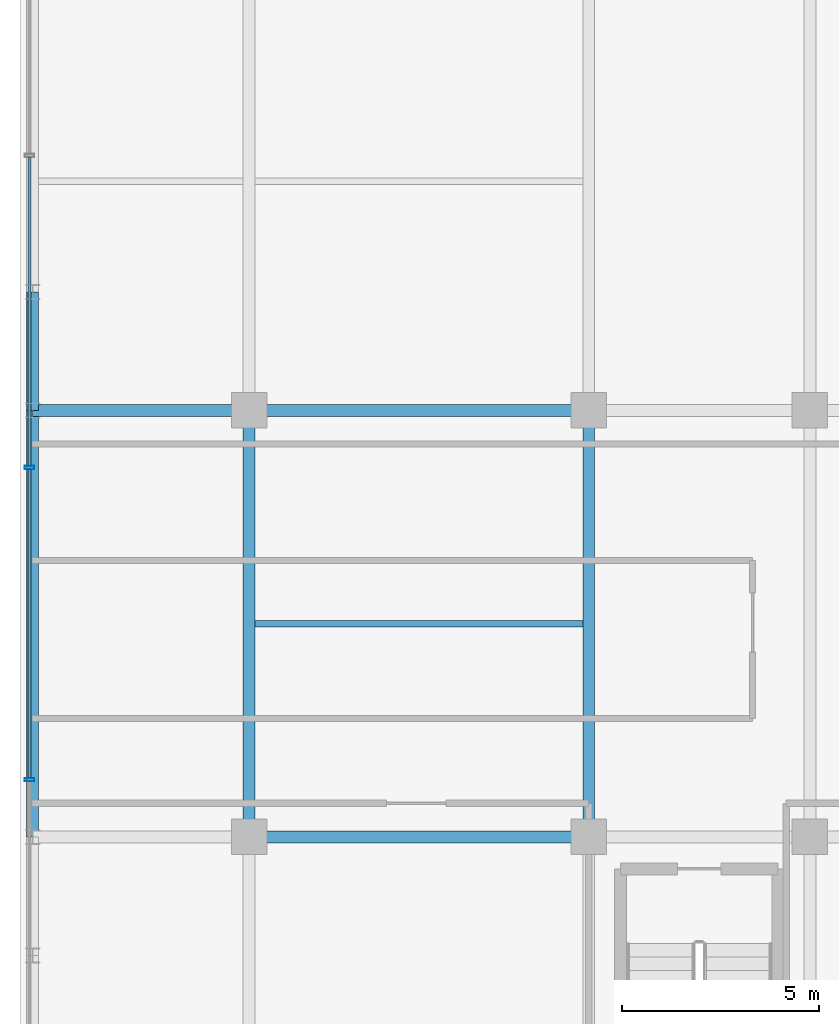
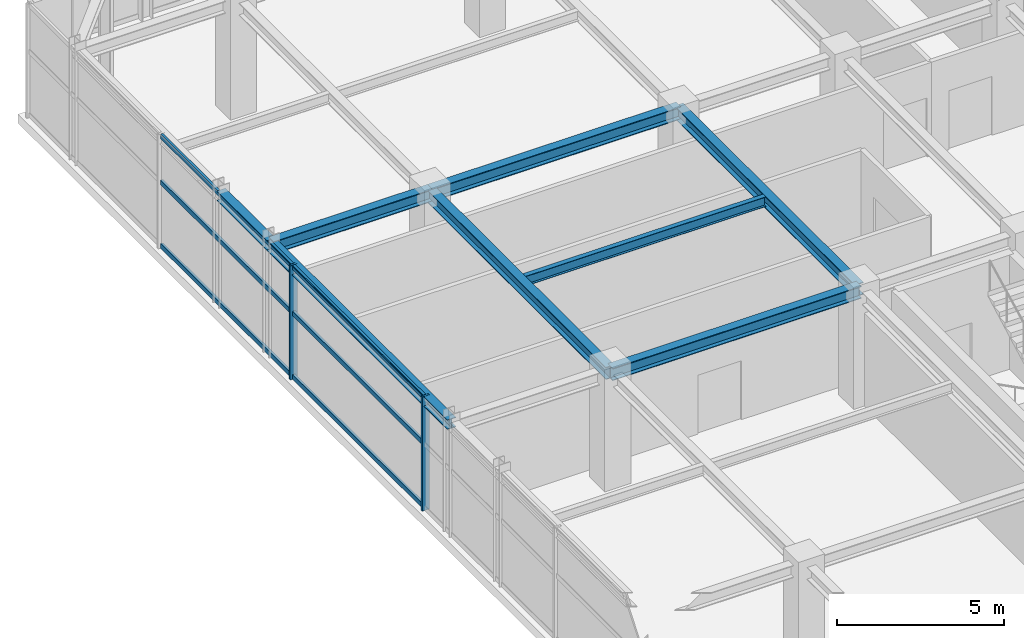
# One storey, part 8 of 26: 8 beams, 8 members, 1 element without a shape of its own.
"""IFC4 building model written with IfcOpenShell, lengths in metres."""

from ifc_helpers import new_model, si_unit, direction, frame, origin, origin_2d, place, context, subcontext, project, spatial, hollow_rectangle, i_section, extrude, source, transform, mapped, material, material_profile, profile_set, type_object, element, aggregate, save


model = new_model("IFC4")

# Units and contexts
model_context = context("Model", 3, precision=1e-05, world=origin(), true_north=direction((0.0, 1.0)))
body_context = subcontext(model_context, "Body", "Model", "MODEL_VIEW")
ifc_project = project(units=[si_unit("LENGTHUNIT", "METRE"), si_unit("AREAUNIT", "SQUARE_METRE"), si_unit("VOLUMEUNIT", "CUBIC_METRE"), si_unit("PLANEANGLEUNIT", "RADIAN"), si_unit("MASSUNIT", "GRAM", prefix="KILO")], contexts=[model_context])

# Site, building, storey
site_placement = place(None, origin())
site = spatial("IfcSite", under=ifc_project, at=site_placement, CompositionType="ELEMENT")
building_placement = place(site_placement, origin())
building = spatial("IfcBuilding", under=site, at=building_placement, Name="Nahalor Promenade Grand Hotel", CompositionType="ELEMENT")
storey_placement = place(building_placement, frame((0.0, 0.0, 343.050048828125)))
storey = spatial("IfcBuildingStorey", under=building, at=storey_placement, Name="L88", CompositionType="ELEMENT", Elevation=343.050048828125)

# Beams
ifc_material_1 = material(Name="Steel S355JR", Category="steel")
ifc_material_profile_1 = material_profile(ifc_material_1, i_section(OverallWidth=0.3, OverallDepth=0.45, WebThickness=0.014, FlangeThickness=0.026, at=origin_2d()), Name="HEB 450")
ifc_profile_set_1 = profile_set([ifc_material_profile_1], Name="Steel S355JR")
beam_type_1 = type_object("IfcBeamType", Name="Beam-Girder-HEB450", PredefinedType="BEAM", material=ifc_profile_set_1)
shared_shape_1 = source(origin(), body_context, "Body", "SweptSolid", [
    extrude(i_section(OverallWidth=0.3, OverallDepth=0.45, WebThickness=0.014, FlangeThickness=0.026, at=origin_2d()), origin(), (0.0, 0.0, 1.0), 8.60009765625),
])
for number, where, z_axis, x_axis, name in (
    (1, (-17.0, -5.39990234375, 3.945068359375), (1.0, 0.0, 0.0), (0.0, 1.0, 0.0), "BM-L88-GX-1-1"),
    (2, (-17.0, 5.39990234375, 3.945068359375), (1.0, 0.0, 0.0), (0.0, 1.0, 0.0), "BM-L88-GX-2-1"),
):
    element("IfcBeam", number, at=place(storey_placement, frame(where, z_axis=z_axis, x_axis=x_axis)), inside=storey, type_object=beam_type_1, Name=name, PredefinedType="BEAM", context=body_context, shape_type="MappedRepresentation", body=[
        mapped(shared_shape_1, transform((0.0, 0.0, 0.0), scale=1.0)),
    ])
shared_shape_2 = source(origin(), body_context, "Body", "SweptSolid", [
    extrude(i_section(OverallWidth=0.3, OverallDepth=0.45, WebThickness=0.014, FlangeThickness=0.026, at=origin_2d()), origin(), (0.0, 0.0, 1.0), 10.7998046875),
])
for number, where, z_axis, x_axis, name in (
    (3, (-17.0, -5.39990234375, 3.945068359375), (0.0, 1.0, 0.0), (-1.0, 0.0, 0.0), "BM-L88-GY-0-2"),
    (4, (-8.39990234375, -5.39990234375, 3.945068359375), (0.0, 1.0, 0.0), (-1.0, 0.0, 0.0), "BM-L88-GY-1-2"),
):
    element("IfcBeam", number, at=place(storey_placement, frame(where, z_axis=z_axis, x_axis=x_axis)), inside=storey, type_object=beam_type_1, Name=name, PredefinedType="BEAM", context=body_context, shape_type="MappedRepresentation", body=[
        mapped(shared_shape_2, transform((0.0, 0.0, 0.0), scale=1.0)),
    ])
shared_shape_3 = source(origin(), body_context, "Body", "SweptSolid", [
    extrude(i_section(OverallWidth=0.3, OverallDepth=0.45, WebThickness=0.014, FlangeThickness=0.026, at=origin_2d()), origin(), (0.0, 0.0, 1.0), 5.47998046875),
])
beam_1_placement = place(storey_placement, frame((-22.47998046875, 5.39990234375, 3.945068359375), z_axis=(1.0, 0.0, 0.0), x_axis=(0.0, 1.0, 0.0)))
element("IfcBeam", 5, at=beam_1_placement, inside=storey, type_object=beam_type_1, Name="BM-L88-GX-2-0", PredefinedType="BEAM", context=body_context, shape_type="MappedRepresentation", body=[
    mapped(shared_shape_3, transform((0.0, 0.0, 0.0), scale=1.0)),
])
ifc_material_profile_2 = material_profile(ifc_material_1, i_section(OverallWidth=0.3, OverallDepth=0.36, WebThickness=0.0125, FlangeThickness=0.0225, at=origin_2d()), Name="HEB 360")
ifc_profile_set_2 = profile_set([ifc_material_profile_2], Name="Steel S355JR")
beam_type_2 = type_object("IfcBeamType", Name="Beam-Spandrel-HEB360", PredefinedType="SPANDREL", material=ifc_profile_set_2)
shared_shape_4 = source(origin(), body_context, "Body", "SweptSolid", [
    extrude(i_section(OverallWidth=0.3, OverallDepth=0.36, WebThickness=0.0125, FlangeThickness=0.0225, at=origin_2d()), origin(), (0.0, 0.0, 1.0), 3.0),
])
beam_2_placement = place(storey_placement, frame((-22.47998046875, 5.39990234375, 3.989990234375), z_axis=(0.0, 1.0, 0.0), x_axis=(-1.0, 0.0, 0.0)))
element("IfcBeam", 6, at=beam_2_placement, inside=storey, type_object=beam_type_2, Name="BM-L88-SP-W-3", PredefinedType="SPANDREL", context=body_context, shape_type="MappedRepresentation", body=[
    mapped(shared_shape_4, transform((0.0, 0.0, 0.0), scale=1.0)),
])
shared_shape_5 = source(origin(), body_context, "Body", "SweptSolid", [
    extrude(i_section(OverallWidth=0.3, OverallDepth=0.36, WebThickness=0.0125, FlangeThickness=0.0225, at=origin_2d()), origin(), (0.0, 0.0, 1.0), 10.7998046875),
])
beam_3_placement = place(storey_placement, frame((-22.47998046875, -5.39990234375, 3.989990234375), z_axis=(0.0, 1.0, 0.0), x_axis=(-1.0, 0.0, 0.0)))
element("IfcBeam", 7, at=beam_3_placement, inside=storey, type_object=beam_type_2, Name="BM-L88-SP-W-2", PredefinedType="SPANDREL", context=body_context, shape_type="MappedRepresentation", body=[
    mapped(shared_shape_5, transform((0.0, 0.0, 0.0), scale=1.0)),
])
ifc_material_profile_3 = material_profile(ifc_material_1, i_section(OverallWidth=0.17, OverallDepth=0.36, WebThickness=0.008, FlangeThickness=0.0127, at=origin_2d()), Name="IPE 360")
ifc_profile_set_3 = profile_set([ifc_material_profile_3], Name="Steel S355JR")
beam_type_3 = type_object("IfcBeamType", Name="Beam-Joist-IPE360", PredefinedType="JOIST", material=ifc_profile_set_3)
shared_shape_6 = source(origin(), body_context, "Body", "SweptSolid", [
    extrude(i_section(OverallWidth=0.17, OverallDepth=0.36, WebThickness=0.008, FlangeThickness=0.0127, at=origin_2d()), origin(), (0.0, 0.0, 1.0), 8.300048828125),
])
beam_4_placement = place(storey_placement, frame((-16.85009765625, 0.0, 3.989990234375), z_axis=(1.0, 0.0, 0.0), x_axis=(0.0, 1.0, 0.0)))
element("IfcBeam", 8, at=beam_4_placement, inside=storey, type_object=beam_type_3, Name="BM-L88-JSC-0", PredefinedType="JOIST", context=body_context, shape_type="MappedRepresentation", body=[
    mapped(shared_shape_6, transform((0.0, 0.0, 0.0), scale=1.0)),
])

# Curtain wall, members
ifc_material_2 = material(Name="Anodised Bronze Aluminium EN AW-6063 T6", Category="aluminium")
curtain_wall_type = type_object("IfcCurtainWallType", Name="CW5 Sky-Lobby & Observation Panoramic Curtain Wall", PredefinedType="USERDEFINED", material=ifc_material_2)
curtain_wall_placement = place(storey_placement, origin())
curtain_wall = element("IfcCurtainWall", 9, at=curtain_wall_placement, inside=storey, type_object=curtain_wall_type, Name="L88 Curtain Wall CW-L88-W-1", ObjectType="UNITISED_CURTAIN_WALL", PredefinedType="USERDEFINED")
ifc_material_profile_4 = material_profile(ifc_material_2, hollow_rectangle(XDim=0.085, YDim=0.25, WallThickness=0.006, at=origin_2d()), Name="CWM 85x250x6")
ifc_profile_set_4 = profile_set([ifc_material_profile_4], Name="Anodised Bronze Aluminium EN AW-6063 T6")
member_type_1 = type_object("IfcMemberType", Name="CWM5 Panoramic Deep Mullion 85x250", PredefinedType="MULLION", material=ifc_profile_set_4)
shared_shape_7 = source(origin(), body_context, "Body", "SweptSolid", [
    extrude(hollow_rectangle(XDim=0.085, YDim=0.25, WallThickness=0.006, at=origin_2d()), origin(), (0.0, 0.0, 1.0), 4.169921875),
])
member_1_placement = place(storey_placement, frame((-22.56005859375, -3.951904296875, 0.0), z_axis=(0.0, 0.0, 1.0), x_axis=(0.0, 1.0, 0.0)))
member_1 = element("IfcMember", 10, at=member_1_placement, type_object=member_type_1, Name="CW-L88-W-1 Mullion 2", PredefinedType="MULLION", context=body_context, shape_type="MappedRepresentation", body=[
    mapped(shared_shape_7, transform((0.0, 0.0, 0.0), scale=1.0)),
])
member_2_placement = place(storey_placement, frame((-22.56005859375, 3.951904296875, 0.0), z_axis=(0.0, 0.0, 1.0), x_axis=(0.0, 1.0, 0.0)))
member_2 = element("IfcMember", 11, at=member_2_placement, type_object=member_type_1, Name="CW-L88-W-1 Mullion 3", PredefinedType="MULLION", context=body_context, shape_type="MappedRepresentation", body=[
    mapped(shared_shape_7, transform((0.0, 0.0, 0.0), scale=1.0)),
])
ifc_material_profile_5 = material_profile(ifc_material_2, hollow_rectangle(XDim=0.085, YDim=0.17, WallThickness=0.005, at=origin_2d()), Name="CWT 85x170x5")
ifc_profile_set_5 = profile_set([ifc_material_profile_5], Name="Anodised Bronze Aluminium EN AW-6063 T6")
member_type_2 = type_object("IfcMemberType", Name="CWT5 Panoramic Transom 85x170", PredefinedType="USERDEFINED", material=ifc_profile_set_5)
shared_shape_8 = source(origin(), body_context, "Body", "SweptSolid", [
    extrude(hollow_rectangle(XDim=0.085, YDim=0.17, WallThickness=0.005, at=origin_2d()), origin(), (0.0, 0.0, 1.0), 7.819091796875),
])
member_3_placement = place(storey_placement, frame((-22.56005859375, 3.994384765625, 0.0849609375), z_axis=(0.0, 1.0, 0.0), x_axis=(-1.0, 0.0, 0.0)))
member_3 = element("IfcMember", 12, at=member_3_placement, type_object=member_type_2, Name="CW-L88-W-1 Transom 3-0", ObjectType="TRANSOM", PredefinedType="USERDEFINED", context=body_context, shape_type="MappedRepresentation", body=[
    mapped(shared_shape_8, transform((0.0, 0.0, 0.0), scale=1.0)),
])
member_4_placement = place(storey_placement, frame((-22.56005859375, 3.994384765625, 2.39990234375), z_axis=(0.0, 1.0, 0.0), x_axis=(-1.0, 0.0, 0.0)))
member_4 = element("IfcMember", 13, at=member_4_placement, type_object=member_type_2, Name="CW-L88-W-1 Transom 3-1", ObjectType="TRANSOM", PredefinedType="USERDEFINED", context=body_context, shape_type="MappedRepresentation", body=[
    mapped(shared_shape_8, transform((0.0, 0.0, 0.0), scale=1.0)),
])
member_5_placement = place(storey_placement, frame((-22.56005859375, 3.994384765625, 4.0849609375), z_axis=(0.0, 1.0, 0.0), x_axis=(-1.0, 0.0, 0.0)))
member_5 = element("IfcMember", 14, at=member_5_placement, type_object=member_type_2, Name="CW-L88-W-1 Transom 3-2", ObjectType="TRANSOM", PredefinedType="USERDEFINED", context=body_context, shape_type="MappedRepresentation", body=[
    mapped(shared_shape_8, transform((0.0, 0.0, 0.0), scale=1.0)),
])
shared_shape_9 = source(origin(), body_context, "Body", "SweptSolid", [
    extrude(hollow_rectangle(XDim=0.085, YDim=0.17, WallThickness=0.005, at=origin_2d()), origin(), (0.0, 0.0, 1.0), 7.81884765625),
])
member_6_placement = place(storey_placement, frame((-22.56005859375, -3.909423828125, 0.0849609375), z_axis=(0.0, 1.0, 0.0), x_axis=(-1.0, 0.0, 0.0)))
member_6 = element("IfcMember", 15, at=member_6_placement, type_object=member_type_2, Name="CW-L88-W-1 Transom 2-0", ObjectType="TRANSOM", PredefinedType="USERDEFINED", context=body_context, shape_type="MappedRepresentation", body=[
    mapped(shared_shape_9, transform((0.0, 0.0, 0.0), scale=1.0)),
])
member_7_placement = place(storey_placement, frame((-22.56005859375, -3.909423828125, 2.39990234375), z_axis=(0.0, 1.0, 0.0), x_axis=(-1.0, 0.0, 0.0)))
member_7 = element("IfcMember", 16, at=member_7_placement, type_object=member_type_2, Name="CW-L88-W-1 Transom 2-1", ObjectType="TRANSOM", PredefinedType="USERDEFINED", context=body_context, shape_type="MappedRepresentation", body=[
    mapped(shared_shape_9, transform((0.0, 0.0, 0.0), scale=1.0)),
])
member_8_placement = place(storey_placement, frame((-22.56005859375, -3.909423828125, 4.0849609375), z_axis=(0.0, 1.0, 0.0), x_axis=(-1.0, 0.0, 0.0)))
member_8 = element("IfcMember", 17, at=member_8_placement, type_object=member_type_2, Name="CW-L88-W-1 Transom 2-2", ObjectType="TRANSOM", PredefinedType="USERDEFINED", context=body_context, shape_type="MappedRepresentation", body=[
    mapped(shared_shape_9, transform((0.0, 0.0, 0.0), scale=1.0)),
])
aggregate(curtain_wall, [member_1, member_2, member_6, member_7, member_8, member_3, member_4, member_5])

save(model, "model.ifc")
